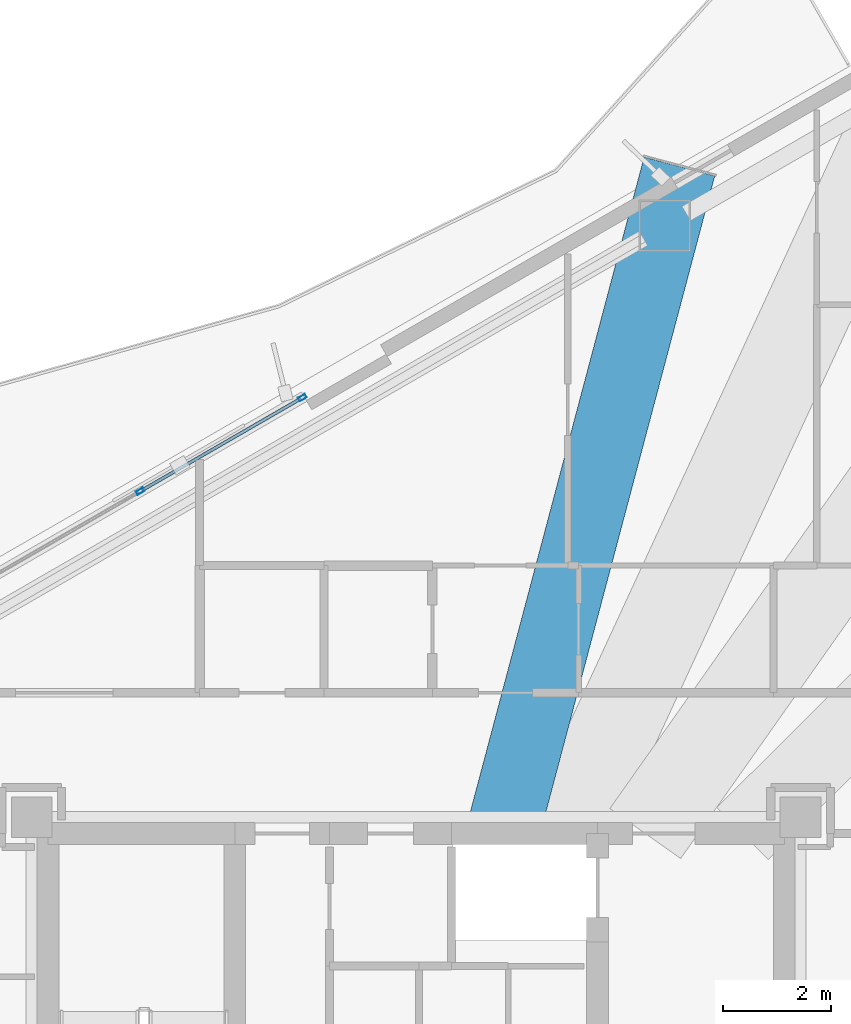
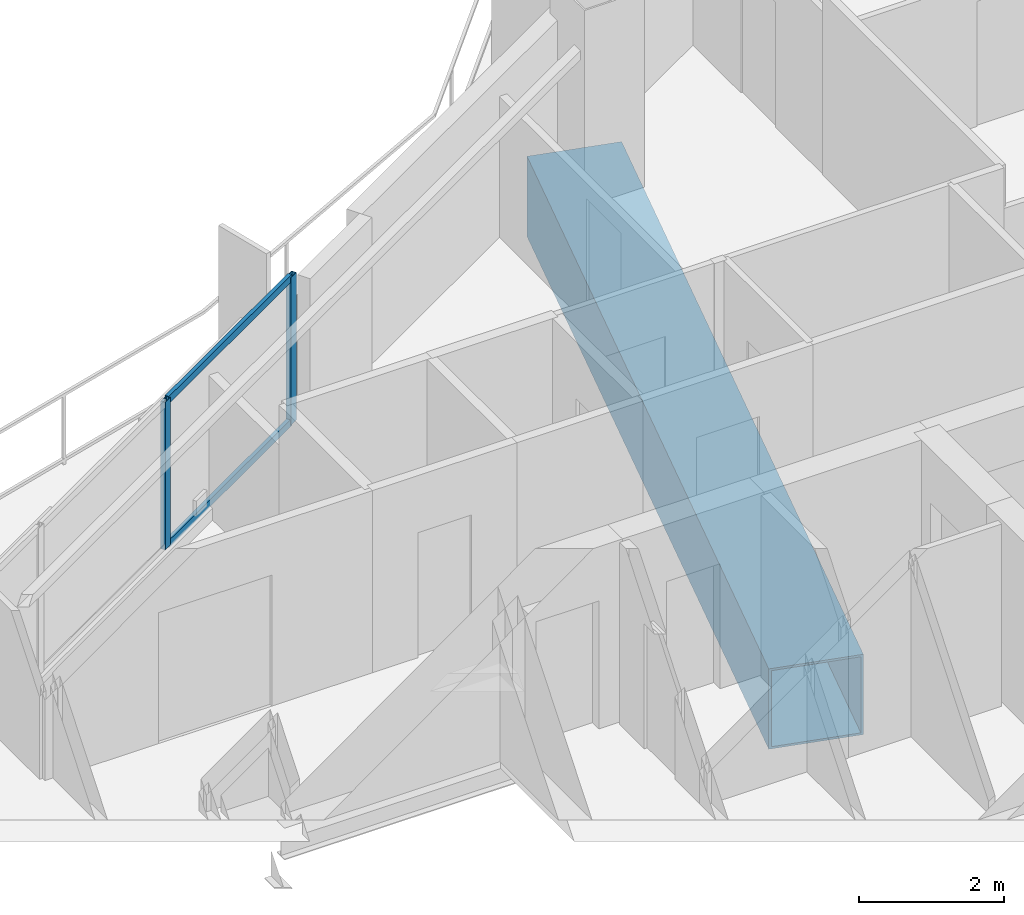
# One storey, part 12 of 21: 4 members, 1 beam, 1 element without a shape of its own.
"""IFC4 building model written with IfcOpenShell, lengths in metres."""

import ifcopenshell
import ifcopenshell.guid

model = None  # the IFC model being written
_history = None  # IfcOwnerHistory: only IFC2X3 demands one
_inside = {}  # id of a spatial element -> (the spatial element, [elements in it])
_under = {}  # id of a project, library or spatial element -> (it, [spatial elements below it])
_declared = {}  # id of a project -> (the project, [libraries it declares])
_typed = {}  # id of a type object -> (the type object, [elements of that type])
_made_of = {}  # id of a material, layer set ... -> (it, [elements and type objects made of it])


def new_model(schema):
    """Start an empty IFC model of exactly this schema.

    Asked for "IFC4X3", IfcOpenShell would pick the latest addendum, in which some entities
    have other attributes; the version numbers below select the first issue.
    IFC2X3 requires an IfcOwnerHistory on every rooted entity: one is made here for all.
    """
    global model, _history
    if schema == "IFC4X3":
        model = ifcopenshell.file(schema_version=(4, 3, 0, 0))
    else:
        model = ifcopenshell.file(schema=schema)
    _inside.clear()
    _under.clear()
    _declared.clear()
    _typed.clear()
    _made_of.clear()
    _history = None
    if model.schema == "IFC2X3":
        org = make("IfcOrganization", Name="unknown")
        user = make(
            "IfcPersonAndOrganization",
            ThePerson=make("IfcPerson", FamilyName="unknown"),
            TheOrganization=org,
        )
        app = make(
            "IfcApplication",
            ApplicationDeveloper=org,
            Version="unknown",
            ApplicationFullName="unknown",
            ApplicationIdentifier="unknown",
        )
        _history = make(
            "IfcOwnerHistory",
            OwningUser=user,
            OwningApplication=app,
            ChangeAction="ADDED",
            CreationDate=0,
        )
    return model


def make(cls, **values):
    """One entity of the class cls with the attributes given. An attribute that is None is left unset."""
    return model.create_entity(
        cls, **{name: value for name, value in values.items() if value is not None}
    )


def rooted(cls, **values):
    """An entity with a GlobalId (a new one), such as an element, a storey or a relation."""
    return make(cls, GlobalId=ifcopenshell.guid.new(), OwnerHistory=_history, **values)


def si_unit(unit_type, name, prefix=None):
    """IfcSIUnit, for example si_unit("LENGTHUNIT", "METRE", prefix="MILLI")."""
    return make("IfcSIUnit", UnitType=unit_type, Prefix=prefix, Name=name)


def assignment(units):
    """IfcUnitAssignment: the units of a project."""
    return None if units is None else make("IfcUnitAssignment", Units=units)


def point(xyz):
    """IfcCartesianPoint."""
    return None if xyz is None else make("IfcCartesianPoint", Coordinates=xyz)


def direction(xyz):
    """IfcDirection."""
    return None if xyz is None else make("IfcDirection", DirectionRatios=xyz)


def frame(location, z_axis=None, x_axis=None):
    """IfcAxis2Placement3D, a coordinate frame: its origin and axes. An axis left out is left unset."""
    return make(
        "IfcAxis2Placement3D",
        Location=point(location),
        Axis=direction(z_axis),
        RefDirection=direction(x_axis),
    )


def frame_2d(location, x_axis=None):
    """IfcAxis2Placement2D, a coordinate frame in the plane: its origin and x axis."""
    return make(
        "IfcAxis2Placement2D", Location=point(location), RefDirection=direction(x_axis)
    )


def origin():
    """The frame at (0, 0, 0) with its axes left unset."""
    return frame((0.0, 0.0, 0.0))


def origin_2d():
    """The frame at (0, 0) in the plane with its x axis left unset."""
    return frame_2d((0.0, 0.0))


def place(relative_to, where):
    """IfcLocalPlacement: puts the frame where relative to a parent placement (None: the world)."""
    return make(
        "IfcLocalPlacement", PlacementRelTo=relative_to, RelativePlacement=where
    )


def context(
    kind, dimensions, precision=None, world=None, true_north=None, identifier=None
):
    """IfcGeometricRepresentationContext, for example the 3D "Model" context."""
    return make(
        "IfcGeometricRepresentationContext",
        ContextIdentifier=identifier,
        ContextType=kind,
        CoordinateSpaceDimension=dimensions,
        Precision=precision,
        WorldCoordinateSystem=world,
        TrueNorth=true_north,
    )


def subcontext(parent, identifier, kind, view, scale=None):
    """IfcGeometricRepresentationSubContext, for example "Body" below "Model"."""
    return make(
        "IfcGeometricRepresentationSubContext",
        ContextIdentifier=identifier,
        ContextType=kind,
        ParentContext=parent,
        TargetScale=scale,
        TargetView=view,
    )


def project(units=None, contexts=None):
    """IfcProject with its units and contexts."""
    return rooted(
        "IfcProject",
        Name="project",
        RepresentationContexts=contexts,
        UnitsInContext=assignment(units),
    )


def spatial(cls, under=None, at=None, **own):
    """A site, building, storey or space (cls), placed at a placement, below another one or the project."""
    s = rooted(cls, ObjectPlacement=at, **own)
    if under is not None:
        _under.setdefault(under.id(), (under, []))[1].append(s)
    return s


def profile(cls, at=None, kind="AREA", **sizes):
    """A parametric profile (cls). Its sizes go by their IFC names, for example OverallWidth=200.0."""
    return make(cls, ProfileType=kind, Position=at, **sizes)


def hollow_rectangle(**sizes):
    """IfcRectangleHollowProfileDef."""
    return profile("IfcRectangleHollowProfileDef", **sizes)


def extrude(swept, where, along, depth):
    """IfcExtrudedAreaSolid: the profile swept, set in the frame where, extruded along a direction by depth."""
    return make(
        "IfcExtrudedAreaSolid",
        SweptArea=swept,
        Position=where,
        ExtrudedDirection=direction(along),
        Depth=depth,
    )


def shape(context_of_items, identifier, shape_type, items):
    """IfcShapeRepresentation: the items that make up one representation, for example the "Body"."""
    return make(
        "IfcShapeRepresentation",
        ContextOfItems=context_of_items,
        RepresentationIdentifier=identifier,
        RepresentationType=shape_type,
        Items=items,
    )


def material(Name=None, Category=None):
    """IfcMaterial."""
    return make("IfcMaterial", Name=Name, Category=Category)


def layer(
    of_material, thickness, ventilated=None, Name=None, Category=None, Priority=None
):
    """IfcMaterialLayer: one layer of a wall or slab, of a material (None: an air gap)."""
    return make(
        "IfcMaterialLayer",
        Material=of_material,
        LayerThickness=thickness,
        IsVentilated=ventilated,
        Name=Name,
        Category=Category,
        Priority=Priority,
    )


def layer_set(layers, Name=None):
    """IfcMaterialLayerSet."""
    return make("IfcMaterialLayerSet", MaterialLayers=layers, LayerSetName=Name)


def material_profile(
    of_material, cross_section, Name=None, Category=None, Priority=None
):
    """IfcMaterialProfile: a cross section and its material."""
    return make(
        "IfcMaterialProfile",
        Name=Name,
        Material=of_material,
        Profile=cross_section,
        Priority=Priority,
        Category=Category,
    )


def profile_set(profiles, Name=None, composite=None):
    """IfcMaterialProfileSet."""
    return make(
        "IfcMaterialProfileSet",
        Name=Name,
        MaterialProfiles=profiles,
        CompositeProfile=composite,
    )


def made_of(thing, what):
    """Note that an element or type object is made of a material, layer set ...; save() writes the relation."""
    if what is not None:
        _made_of.setdefault(what.id(), (what, []))[1].append(thing)
    return thing


def type_object(cls, material=None, **own):
    """A type object (cls), such as IfcWallType, which elements share."""
    return made_of(rooted(cls, **own), material)


def element(
    cls,
    number,
    at=None,
    inside=None,
    cuts=None,
    type_object=None,
    material=None,
    context=None,
    identifier="Body",
    shape_type=None,
    held_by="IfcProductDefinitionShape",
    body=None,
    shapes=None,
    **own,
):
    """One element of the class cls, such as IfcWall. Its Tag is "e" and its number.

    at: its placement. inside: the storey or other place that contains it. cuts: it is an
    opening in that element (IfcRelVoidsElement). A single representation is given by context,
    identifier, shape_type and body (its items); several are given by shapes. held_by: the class
    of the entity that holds the representations. save() writes the other relations.
    """
    e = rooted(cls, Tag="e%d" % number, ObjectPlacement=at, **own)
    if body is not None:
        shapes = [shape(context, identifier, shape_type, body)]
    if shapes is not None:
        e.Representation = make(held_by, Representations=shapes)
    if inside is not None:
        _inside.setdefault(inside.id(), (inside, []))[1].append(e)
    if cuts is not None:
        rooted(
            "IfcRelVoidsElement", RelatingBuildingElement=cuts, RelatedOpeningElement=e
        )
    if type_object is not None:
        _typed.setdefault(type_object.id(), (type_object, []))[1].append(e)
    return made_of(e, material)


def aggregate(whole, parts):
    """IfcRelAggregates: a whole, such as a stair, and the parts it consists of."""
    return rooted("IfcRelAggregates", RelatingObject=whole, RelatedObjects=parts)


def save(model, path):
    """Write the relations noted so far, then the file.

    IfcRelAggregates (storeys below a building ...), IfcRelContainedInSpatialStructure (elements
    in a storey), IfcRelDefinesByType, IfcRelAssociatesMaterial and IfcRelDeclares: one each for
    every whole, place, type object, material and project.
    """
    for whole, parts in _under.values():
        aggregate(whole, parts)
    for where, things in _inside.values():
        rooted(
            "IfcRelContainedInSpatialStructure",
            RelatedElements=things,
            RelatingStructure=where,
        )
    for kind, things in _typed.values():
        rooted("IfcRelDefinesByType", RelatedObjects=things, RelatingType=kind)
    for what, things in _made_of.values():
        rooted("IfcRelAssociatesMaterial", RelatedObjects=things, RelatingMaterial=what)
    for by, libraries in _declared.values():
        rooted("IfcRelDeclares", RelatingContext=by, RelatedDefinitions=libraries)
    model.write(path)


model = new_model("IFC4")

# Units and contexts
model_context = context("Model", 3, precision=1e-05, world=origin(), true_north=direction((0.0, 1.0)))
body_context = subcontext(model_context, "Body", "Model", "MODEL_VIEW")
ifc_project = project(units=[si_unit("LENGTHUNIT", "METRE"), si_unit("AREAUNIT", "SQUARE_METRE"), si_unit("VOLUMEUNIT", "CUBIC_METRE"), si_unit("PLANEANGLEUNIT", "RADIAN"), si_unit("MASSUNIT", "GRAM", prefix="KILO")], contexts=[model_context])

# Site, building, storey
site_placement = place(None, origin())
site = spatial("IfcSite", under=ifc_project, at=site_placement, CompositionType="ELEMENT")
building_placement = place(site_placement, origin())
building = spatial("IfcBuilding", under=site, at=building_placement, Name="Mersakhor Tower and Convention Hall", CompositionType="ELEMENT")
storey_placement = place(building_placement, frame((0.0, 0.0, 121.199951171875)))
storey = spatial("IfcBuildingStorey", under=building, at=storey_placement, Name="L33", CompositionType="ELEMENT", Elevation=121.199951171875)

# Beam
ifc_material_1 = material(Name="Steel S460", Category="steel")
ifc_material_profile_1 = material_profile(ifc_material_1, hollow_rectangle(XDim=1.35009765625, YDim=1.35009765625, WallThickness=0.035888671875, at=origin_2d()), Name="SHS 1350x1350x36")
ifc_profile_set_1 = profile_set([ifc_material_profile_1], Name="Steel S460")
beam_type = type_object("IfcBeamType", Name="BM-TR-BOX1350", PredefinedType="BEAM", material=ifc_profile_set_1)
beam_placement = place(storey_placement, frame((33.86279296875, 45.070556640625, -0.9150390625), z_axis=(-0.2565478983, -0.966531518305, 0.0), x_axis=(0.966531518305, -0.2565478983, 0.0)))
element("IfcBeam", 1, at=beam_placement, inside=storey, type_object=beam_type, Name="L33 Taper Step Transfer Girder STG-03", PredefinedType="BEAM", context=body_context, shape_type="SweptSolid", body=[
    extrude(hollow_rectangle(XDim=1.35009765625, YDim=1.35009765625, WallThickness=0.035888671875, at=origin_2d()), origin(), (0.0, 0.0, 1.0), 12.7470703125),
])

# Curtain wall, members
ifc_material_2 = material(Name="Dark solar low-E aluminium curtain wall", Category="aluminium")
ifc_layer = layer(ifc_material_2, 0.169921875)
ifc_layer_set = layer_set([ifc_layer], Name="Dark solar low-E aluminium curtain wall")
curtain_wall_type = type_object("IfcCurtainWallType", Name="CW-SYS-02", PredefinedType="USERDEFINED", material=ifc_layer_set)
curtain_wall_placement = place(storey_placement, origin())
curtain_wall = element("IfcCurtainWall", 2, at=curtain_wall_placement, inside=storey, type_object=curtain_wall_type, Name="L33 Dark-Glass Curtain Wall F1-B2", ObjectType="CURTAIN WALL", PredefinedType="USERDEFINED")
ifc_material_3 = material(Name="Anodised aluminium EN AW-6063 T6", Category="aluminium")
ifc_material_profile_2 = material_profile(ifc_material_3, hollow_rectangle(XDim=0.074951171875, YDim=0.14990234375, WallThickness=0.00634765625, at=origin_2d()), Name="RHS 150x75x6.3")
ifc_profile_set_2 = profile_set([ifc_material_profile_2], Name="Anodised aluminium EN AW-6063 T6")
member_type_1 = type_object("IfcMemberType", Name="CWM-150x75", PredefinedType="MULLION", material=ifc_profile_set_2)
member_1_placement = place(storey_placement, frame((23.904052734375, 39.072021484375, 0.199951171875), z_axis=(0.0, 0.0, 1.0), x_axis=(-0.499990468363, 0.866030906807, 0.0)))
member_1 = element("IfcMember", 3, at=member_1_placement, type_object=member_type_1, Name="CW-02 mullion 3", PredefinedType="MULLION", context=body_context, shape_type="SweptSolid", body=[
    extrude(hollow_rectangle(XDim=0.074951171875, YDim=0.14990234375, WallThickness=0.00634765625, at=origin_2d()), origin(), (0.0, 0.0, 1.0), 2.47998046875),
])
member_2_placement = place(storey_placement, frame((26.8984375, 40.80078125, 0.199951171875), z_axis=(0.0, 0.0, 1.0), x_axis=(-0.499990468363, 0.866030906807, 0.0)))
member_2 = element("IfcMember", 4, at=member_2_placement, type_object=member_type_1, Name="CW-02 mullion 4", PredefinedType="MULLION", context=body_context, shape_type="SweptSolid", body=[
    extrude(hollow_rectangle(XDim=0.074951171875, YDim=0.14990234375, WallThickness=0.00634765625, at=origin_2d()), origin(), (0.0, 0.0, 1.0), 2.47998046875),
])
ifc_material_4 = material(Name="Anodised aluminium EN AW-6063 T6", Category="aluminium")
ifc_material_profile_3 = material_profile(ifc_material_4, hollow_rectangle(XDim=0.06005859375, YDim=0.1201171875, WallThickness=0.0048828125, at=origin_2d()), Name="RHS 120x60x5")
ifc_profile_set_3 = profile_set([ifc_material_profile_3], Name="Anodised aluminium EN AW-6063 T6")
member_type_2 = type_object("IfcMemberType", Name="CWT-120x60", PredefinedType="USERDEFINED", material=ifc_profile_set_3)
member_3_placement = place(storey_placement, frame((23.9365234375, 39.0908203125, 0.22998046875), z_axis=(0.866044963944, 0.49996611928, 0.0), x_axis=(-0.49996611928, 0.866044963944, 0.0)))
member_3 = element("IfcMember", 5, at=member_3_placement, type_object=member_type_2, Name="CW-02 transom 3.1", ObjectType="TRANSOM", PredefinedType="USERDEFINED", context=body_context, shape_type="SweptSolid", body=[
    extrude(hollow_rectangle(XDim=0.06005859375, YDim=0.1201171875, WallThickness=0.0048828125, at=origin_2d()), origin(), (0.0, 0.0, 1.0), 3.382568359375),
])
member_4_placement = place(storey_placement, frame((23.9365234375, 39.0908203125, 2.650146484375), z_axis=(0.866044963944, 0.49996611928, 0.0), x_axis=(-0.49996611928, 0.866044963944, 0.0)))
member_4 = element("IfcMember", 6, at=member_4_placement, type_object=member_type_2, Name="CW-02 transom 3.2", ObjectType="TRANSOM", PredefinedType="USERDEFINED", context=body_context, shape_type="SweptSolid", body=[
    extrude(hollow_rectangle(XDim=0.06005859375, YDim=0.1201171875, WallThickness=0.0048828125, at=origin_2d()), origin(), (0.0, 0.0, 1.0), 3.382568359375),
])
aggregate(curtain_wall, [member_1, member_2, member_3, member_4])

save(model, "model.ifc")
